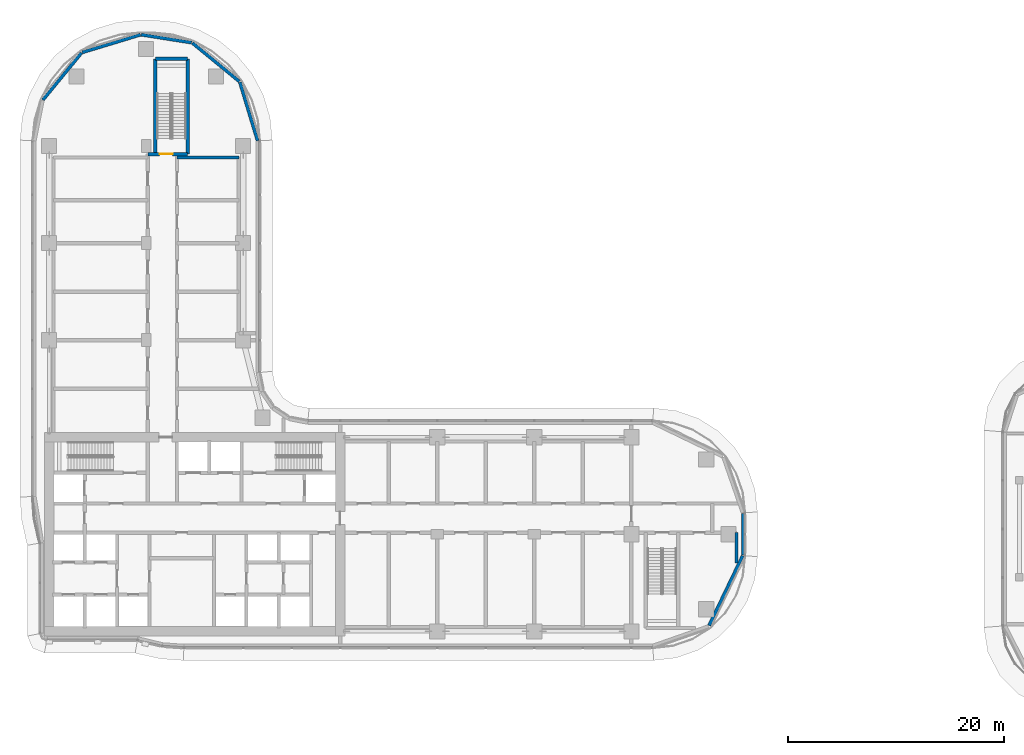
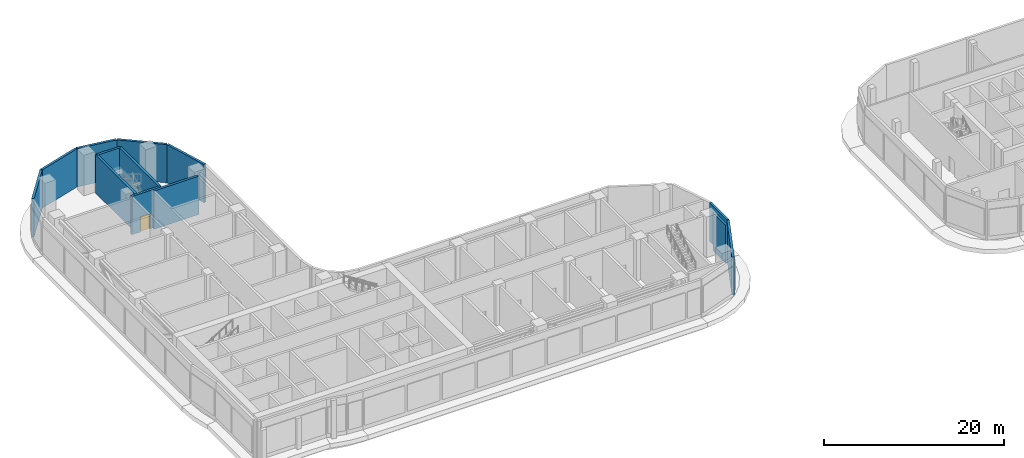
# One storey, part 6 of 23: 13 walls, 1 door, 1 opening.
"""IFC4 building model written with IfcOpenShell, lengths in metres."""

from ifc_helpers import new_model, si_unit, direction, frame, frame_2d, origin, place, context, subcontext, project, spatial, rectangle, extrude, material, layer, layer_set, type_object, element, fill, save


model = new_model("IFC4")

# Units and contexts
model_context = context("Model", 3, precision=1e-05, world=origin(), true_north=direction((0.0, 1.0)))
body_context = subcontext(model_context, "Body", "Model", "MODEL_VIEW")
ifc_project = project(units=[si_unit("LENGTHUNIT", "METRE"), si_unit("AREAUNIT", "SQUARE_METRE"), si_unit("VOLUMEUNIT", "CUBIC_METRE"), si_unit("PLANEANGLEUNIT", "RADIAN"), si_unit("MASSUNIT", "GRAM", prefix="KILO")], contexts=[model_context])

# Site, building, storey
site_placement = place(None, origin())
site = spatial("IfcSite", under=ifc_project, at=site_placement, CompositionType="ELEMENT")
building_placement = place(site_placement, origin())
building = spatial("IfcBuilding", under=site, at=building_placement, Name="Ogive Portal Towers", CompositionType="ELEMENT")
storey_placement = place(building_placement, frame((0.0, 0.0, 81.60009765625)))
storey = spatial("IfcBuildingStorey", under=building, at=storey_placement, Name="L19", CompositionType="ELEMENT", Elevation=81.60009765625)

# Walls
ifc_material_1 = material(Name="Limestone cladding on lightweight block wall", Category="masonry")
ifc_layer_1 = layer(ifc_material_1, 0.300048828125)
ifc_layer_set_1 = layer_set([ifc_layer_1], Name="EXTERNAL WALL 300 STONE")
wall_type_1 = type_object("IfcWallType", Name="EXTERNAL WALL 300 STONE", PredefinedType="SOLIDWALL", material=ifc_layer_set_1)
wall_1_placement = place(storey_placement, frame((92.718505859375, 22.031494140625, 0.0), z_axis=(0.0, 0.0, 1.0), x_axis=(0.433882040461, 0.90096968593, 0.0)))
element("IfcWall", 1, at=wall_1_placement, inside=storey, type_object=wall_type_1, Name="A:L19:f08:r0:wall", PredefinedType="SOLIDWALL", context=body_context, shape_type="SweptSolid", body=[
    extrude(rectangle(XDim=7.183349609375, YDim=0.300048828125, at=frame_2d((3.591796875, 0.0))), origin(), (0.0, 0.0, 1.0), 5.199951171875),
])
wall_2_placement = place(storey_placement, frame((95.85009765625, 28.568359375, 0.0), z_axis=(0.0, 0.0, 1.0), x_axis=(0.0, 1.0, 0.0)))
element("IfcWall", 2, at=wall_2_placement, inside=storey, type_object=wall_type_1, Name="A:L19:f09:r0:wall", PredefinedType="SOLIDWALL", context=body_context, shape_type="SweptSolid", body=[
    extrude(rectangle(XDim=3.880615234375, YDim=0.300048828125, at=frame_2d((1.9404296875, 0.0))), origin(), (0.0, 0.0, 1.0), 5.199951171875),
])
wall_3_placement = place(storey_placement, frame((50.843505859375, 66.9990234375, 0.0), z_axis=(0.0, 0.0, 1.0), x_axis=(-0.290289406989, 0.95693890097, 0.0)))
element("IfcWall", 3, at=wall_3_placement, inside=storey, type_object=wall_type_1, Name="A:L19:f18:r0:wall", PredefinedType="SOLIDWALL", context=body_context, shape_type="SweptSolid", body=[
    extrude(rectangle(XDim=5.670166015625, YDim=0.300048828125, at=frame_2d((2.8349609375, 0.0))), origin(), (0.0, 0.0, 1.0), 5.199951171875),
])
wall_4_placement = place(storey_placement, frame((49.149169921875, 72.49755859375, 0.0), z_axis=(0.0, 0.0, 1.0), x_axis=(-0.773023777565, 0.634377048229, 0.0)))
element("IfcWall", 4, at=wall_4_placement, inside=storey, type_object=wall_type_1, Name="A:L19:f19:r0:wall", PredefinedType="SOLIDWALL", context=body_context, shape_type="SweptSolid", body=[
    extrude(rectangle(XDim=5.633056640625, YDim=0.300048828125, at=frame_2d((2.81640625, 0.0))), origin(), (0.0, 0.0, 1.0), 5.199951171875),
])
wall_5_placement = place(storey_placement, frame((44.722900390625, 76.103271484375, 0.0), z_axis=(0.0, 0.0, 1.0), x_axis=(-0.98779137081, 0.155782565629, 0.0)))
element("IfcWall", 5, at=wall_5_placement, inside=storey, type_object=wall_type_1, Name="A:L19:f20:r0:wall", PredefinedType="SOLIDWALL", context=body_context, shape_type="SweptSolid", body=[
    extrude(rectangle(XDim=4.736083984375, YDim=0.300048828125, at=frame_2d((2.3681640625, 0.0))), origin(), (0.0, 0.0, 1.0), 5.199951171875),
])
wall_6_placement = place(storey_placement, frame((39.977783203125, 76.83642578125, 0.0), z_axis=(0.0, 0.0, 1.0), x_axis=(-0.956941081769, -0.29028221789, 0.0)))
element("IfcWall", 6, at=wall_6_placement, inside=storey, type_object=wall_type_1, Name="A:L19:f21:r0:wall", PredefinedType="SOLIDWALL", context=body_context, shape_type="SweptSolid", body=[
    extrude(rectangle(XDim=5.64599609375, YDim=0.300048828125, at=frame_2d((2.822998046875, 0.0))), origin(), (0.0, 0.0, 1.0), 5.199951171875),
])
wall_7_placement = place(storey_placement, frame((34.50244140625, 75.149169921875, 0.0), z_axis=(0.0, 0.0, 1.0), x_axis=(-0.63439223677, -0.773011312936, 0.0)))
element("IfcWall", 7, at=wall_7_placement, inside=storey, type_object=wall_type_1, Name="A:L19:f22:r0:wall", PredefinedType="SOLIDWALL", context=body_context, shape_type="SweptSolid", body=[
    extrude(rectangle(XDim=5.639404296875, YDim=0.300048828125, at=frame_2d((2.81982421875, 0.0))), origin(), (0.0, 0.0, 1.0), 5.199951171875),
])

# Wall, opening, door
ifc_material_2 = material(Name="Concrete C50/60", Category="concrete")
ifc_layer_2 = layer(ifc_material_2, 0.300048828125)
ifc_layer_set_2 = layer_set([ifc_layer_2], Name="STAIR WALL 300 C50")
wall_type_2 = type_object("IfcWallType", Name="STAIR WALL 300 C50", PredefinedType="SHEAR", material=ifc_layer_set_2)
wall_8_placement = place(storey_placement, frame((40.64990234375, 65.75, 0.0), z_axis=(0.0, 0.0, 1.0), x_axis=(1.0, 0.0, 0.0)))
wall_8 = element("IfcWall", 8, at=wall_8_placement, inside=storey, type_object=wall_type_2, Name="Stair wall ST-A3 L19", PredefinedType="SHEAR", context=body_context, shape_type="SweptSolid", body=[
    extrude(rectangle(XDim=3.7001953125, YDim=0.300048828125, at=frame_2d((1.85009765625, 0.0))), origin(), (0.0, 0.0, 1.0), 5.199951171875),
])
opening_placement = place(wall_8_placement, frame((1.10009765625, 0.0, 0.0)))
opening = element("IfcOpeningElement", 9, at=opening_placement, cuts=wall_8, Name="Opening D06-052", PredefinedType="OPENING", context=body_context, shape_type="SweptSolid", body=[
    extrude(rectangle(XDim=1.199951171875, YDim=2.10009765625, at=frame_2d((0.60009765625, 1.050048828125))), frame((0.0, 0.16015625, 0.0), z_axis=(0.0, -1.0, 0.0), x_axis=(1.0, 0.0, 0.0)), (0.0, 0.0, 1.0), 0.320068359375),
])
ifc_material_3 = material(Name="Steel fire door", Category="steel")
door_type = type_object("IfcDoorType", Name="DT-STAIR-1200x2100-FD90S", OperationType="SINGLE_SWING_LEFT", PredefinedType="DOOR", material=ifc_material_3)
door_placement = place(opening_placement, origin())
door = element("IfcDoor", 10, at=door_placement, inside=storey, type_object=door_type, Name="Door D06-052", OperationType="SINGLE_SWING_RIGHT", OverallHeight=2.10009765625, OverallWidth=1.199951171875, PredefinedType="DOOR", context=body_context, shape_type="SweptSolid", body=[
    extrude(rectangle(XDim=1.199951171875, YDim=2.10009765625, at=frame_2d((0.60009765625, 1.050048828125))), frame((0.0, 0.02490234375, 0.0), z_axis=(0.0, -1.0, 0.0), x_axis=(1.0, 0.0, 0.0)), (0.0, 0.0, 1.0), 0.050048828125),
])
fill(opening, door)

# Walls
wall_9_placement = place(storey_placement, frame((41.35009765625, 74.60009765625, 0.0), z_axis=(0.0, 0.0, 1.0), x_axis=(1.0, 0.0, 0.0)))
element("IfcWall", 11, at=wall_9_placement, inside=storey, type_object=wall_type_2, Name="Stair wall ST-A3 L19", PredefinedType="SHEAR", context=body_context, shape_type="SweptSolid", body=[
    extrude(rectangle(XDim=3.0, YDim=0.300048828125, at=frame_2d((1.5, 0.0))), origin(), (0.0, 0.0, 1.0), 5.199951171875),
])
for number, where, z_axis, x_axis, name in (
    (12, (41.35009765625, 65.75, 0.0), (0.0, 0.0, 1.0), (0.0, 1.0, 0.0), "Stair wall ST-A3 L19"),
    (13, (44.35009765625, 65.75, 0.0), (0.0, 0.0, 1.0), (0.0, 1.0, 0.0), "Stair wall ST-A3 L19"),
):
    element("IfcWall", number, at=place(storey_placement, frame(where, z_axis=z_axis, x_axis=x_axis)), inside=storey, type_object=wall_type_2, Name=name, PredefinedType="SHEAR", context=body_context, shape_type="SweptSolid", body=[
        extrude(rectangle(XDim=8.85009765625, YDim=0.300048828125, at=frame_2d((4.425048828125, 0.0))), origin(), (0.0, 0.0, 1.0), 5.199951171875),
    ])
ifc_material_4 = material(Name="Gypsum board partition on steel studs", Category="steel")
ifc_layer_3 = layer(ifc_material_4, 0.300048828125)
ifc_layer_set_3 = layer_set([ifc_layer_3], Name="WT-PART-300-EI 60")
wall_type_3 = type_object("IfcWallType", Name="WT-PART-300-EI 60", PredefinedType="PARTITIONING", material=ifc_layer_set_3)
wall_10_placement = place(storey_placement, frame((43.35009765625, 65.449951171875, 0.0), z_axis=(0.0, 0.0, 1.0), x_axis=(1.0, 0.0, 0.0)))
element("IfcWall", 14, at=wall_10_placement, inside=storey, type_object=wall_type_3, Name="Wall L19:w020", PredefinedType="PARTITIONING", context=body_context, shape_type="SweptSolid", body=[
    extrude(rectangle(XDim=5.75, YDim=0.300048828125, at=frame_2d((2.875, 0.0))), origin(), (0.0, 0.0, 1.0), 5.199951171875),
])
wall_11_placement = place(storey_placement, frame((95.25, 27.823974609375, 0.0), z_axis=(0.0, 0.0, 1.0), x_axis=(0.0, 1.0, 0.0)))
element("IfcWall", 15, at=wall_11_placement, inside=storey, type_object=wall_type_3, Name="Wall L19:w043", PredefinedType="PARTITIONING", context=body_context, shape_type="SweptSolid", body=[
    extrude(rectangle(XDim=2.825927734375, YDim=0.300048828125, at=frame_2d((1.4130859375, 0.0))), origin(), (0.0, 0.0, 1.0), 5.14990234375),
])

save(model, "model.ifc")
